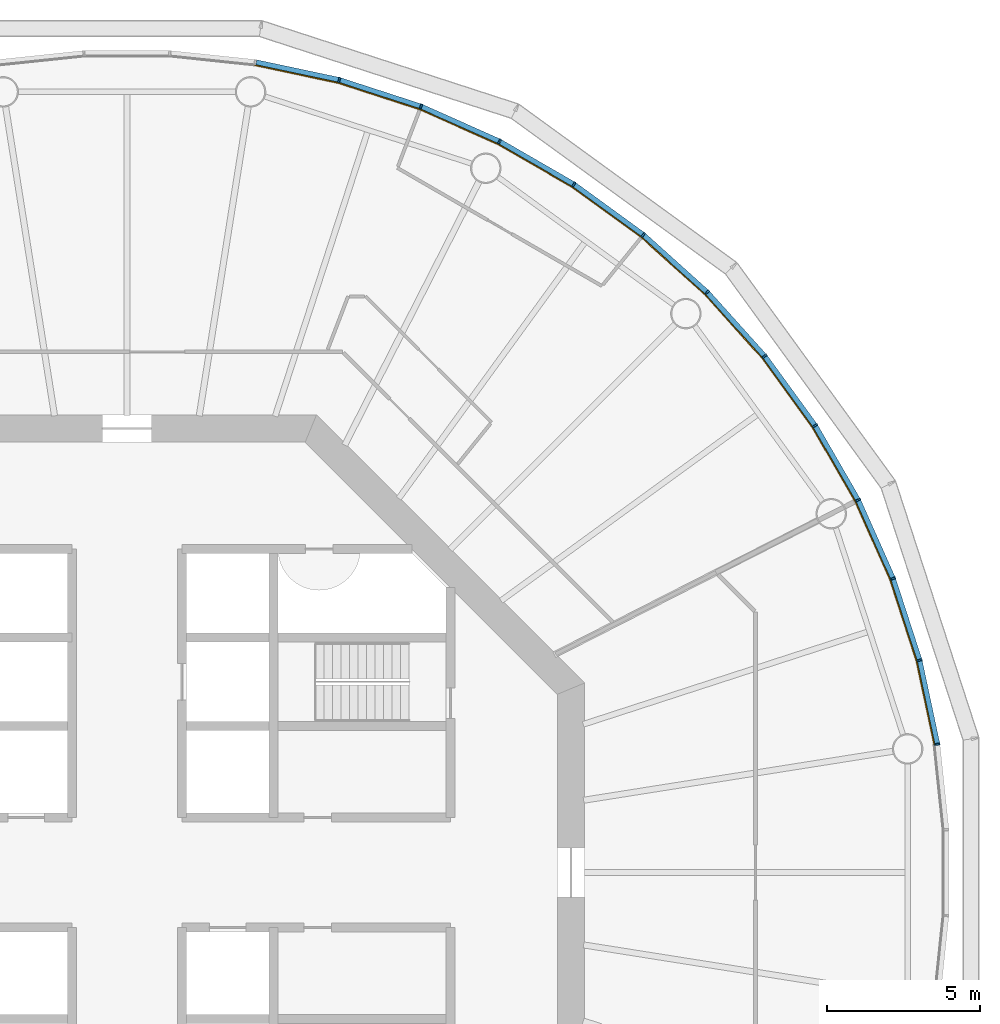
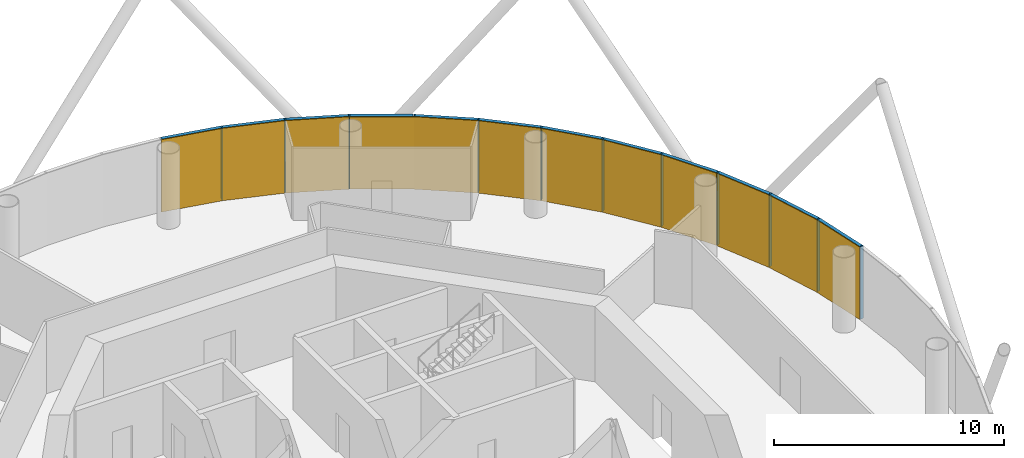
# One storey, part 12 of 13: 24 members, 4 curtain walls.
"""IFC4 building model written with IfcOpenShell, lengths in metres."""

from ifc_helpers import new_model, si_unit, direction, frame, origin, origin_2d, place, context, subcontext, project, spatial, polyline, rectangle, outline, extrude, material, layer, layer_set, material_profile, profile_set, type_object, element, aggregate, save


model = new_model("IFC4")

# Units and contexts
model_context = context("Model", 3, precision=1e-05, world=origin(), true_north=direction((0.0, 1.0)))
body_context = subcontext(model_context, "Body", "Model", "MODEL_VIEW")
ifc_project = project(units=[si_unit("LENGTHUNIT", "METRE"), si_unit("AREAUNIT", "SQUARE_METRE"), si_unit("VOLUMEUNIT", "CUBIC_METRE"), si_unit("PLANEANGLEUNIT", "RADIAN"), si_unit("MASSUNIT", "GRAM", prefix="KILO")], contexts=[model_context])

# Member
ifc_material_1 = material(Name="Anodised aluminium", Category="aluminium")
ifc_material_profile_1 = material_profile(ifc_material_1, rectangle(XDim=0.06005859375, YDim=0.169921875, at=origin_2d()), Name="Mullion 60 x 170 mm anodised aluminium")
ifc_profile_set_1 = profile_set([ifc_material_profile_1], Name="Anodised aluminium")
member_type_1 = type_object("IfcMemberType", Name="Mullion 60 x 170 mm anodised aluminium", PredefinedType="MULLION", material=ifc_profile_set_1)
site_placement = place(None, origin())
building_placement = place(site_placement, origin())
storey_placement = place(building_placement, frame((0.0, 0.0, 218.0)))
member_1_placement = place(storey_placement, frame((116.553955078125, 84.205810546875, 0.0), z_axis=(0.0, 0.0, 1.0), x_axis=(-0.15643446504, 0.987688340595, 0.0)))
member_1 = element("IfcMember", 1, at=member_1_placement, type_object=member_type_1, Name="MULLION L50-00", PredefinedType="MULLION", context=body_context, shape_type="SweptSolid", body=[
    extrude(rectangle(XDim=0.06005859375, YDim=0.169921875, at=origin_2d()), origin(), (0.0, 0.0, 1.0), 3.85009765625),
])

member_2_placement = place(storey_placement, frame((115.968994140625, 86.958251953125, 0.0), z_axis=(0.0, 0.0, 1.0), x_axis=(-0.258819045103, 0.965925826289, 0.0)))
member_2 = element("IfcMember", 2, at=member_2_placement, type_object=member_type_1, Name="MULLION L50-01", PredefinedType="MULLION", context=body_context, shape_type="SweptSolid", body=[
    extrude(rectangle(XDim=0.06005859375, YDim=0.169921875, at=origin_2d()), origin(), (0.0, 0.0, 1.0), 3.85009765625),
])

member_3_placement = place(storey_placement, frame((115.099365234375, 89.634765625, 0.0), z_axis=(0.0, 0.0, 1.0), x_axis=(-0.358367949545, 0.933580426497, 0.0)))
member_3 = element("IfcMember", 3, at=member_3_placement, type_object=member_type_1, Name="MULLION L50-02", PredefinedType="MULLION", context=body_context, shape_type="SweptSolid", body=[
    extrude(rectangle(XDim=0.06005859375, YDim=0.169921875, at=origin_2d()), origin(), (0.0, 0.0, 1.0), 3.85009765625),
])

member_4_placement = place(storey_placement, frame((113.95458984375, 92.20556640625, 0.0), z_axis=(0.0, 0.0, 1.0), x_axis=(-0.45399049974, 0.891006524188, 0.0)))
member_4 = element("IfcMember", 4, at=member_4_placement, type_object=member_type_1, Name="MULLION L50-03", PredefinedType="MULLION", context=body_context, shape_type="SweptSolid", body=[
    extrude(rectangle(XDim=0.06005859375, YDim=0.169921875, at=origin_2d()), origin(), (0.0, 0.0, 1.0), 3.85009765625),
])

member_5_placement = place(storey_placement, frame((112.547607421875, 94.642578125, 0.0), z_axis=(0.0, 0.0, 1.0), x_axis=(-0.544639035015, 0.838670567945, 0.0)))
member_5 = element("IfcMember", 5, at=member_5_placement, type_object=member_type_1, Name="MULLION L50-04", PredefinedType="MULLION", context=body_context, shape_type="SweptSolid", body=[
    extrude(rectangle(XDim=0.06005859375, YDim=0.169921875, at=origin_2d()), origin(), (0.0, 0.0, 1.0), 3.85009765625),
])

member_6_placement = place(storey_placement, frame((110.8935546875, 96.919189453125, 0.0), z_axis=(0.0, 0.0, 1.0), x_axis=(-0.62932039105, 0.777145961457, 0.0)))
member_6 = element("IfcMember", 6, at=member_6_placement, type_object=member_type_1, Name="MULLION L50-05", PredefinedType="MULLION", context=body_context, shape_type="SweptSolid", body=[
    extrude(rectangle(XDim=0.06005859375, YDim=0.169921875, at=origin_2d()), origin(), (0.0, 0.0, 1.0), 3.85009765625),
])

member_7_placement = place(storey_placement, frame((109.010498046875, 99.010498046875, 0.0), z_axis=(0.0, 0.0, 1.0), x_axis=(-0.707106781187, 0.707106781187, 0.0)))
member_7 = element("IfcMember", 7, at=member_7_placement, type_object=member_type_1, Name="MULLION L50-06", PredefinedType="MULLION", context=body_context, shape_type="SweptSolid", body=[
    extrude(rectangle(XDim=0.06005859375, YDim=0.169921875, at=origin_2d()), origin(), (0.0, 0.0, 1.0), 3.85009765625),
])

member_8_placement = place(storey_placement, frame((106.919189453125, 100.8935546875, 0.0), z_axis=(0.0, 0.0, 1.0), x_axis=(-0.777145961457, 0.62932039105, 0.0)))
member_8 = element("IfcMember", 8, at=member_8_placement, type_object=member_type_1, Name="MULLION L50-07", PredefinedType="MULLION", context=body_context, shape_type="SweptSolid", body=[
    extrude(rectangle(XDim=0.06005859375, YDim=0.169921875, at=origin_2d()), origin(), (0.0, 0.0, 1.0), 3.85009765625),
])

member_9_placement = place(storey_placement, frame((104.642578125, 102.547607421875, 0.0), z_axis=(0.0, 0.0, 1.0), x_axis=(-0.838670567945, 0.544639035015, 0.0)))
member_9 = element("IfcMember", 9, at=member_9_placement, type_object=member_type_1, Name="MULLION L50-08", PredefinedType="MULLION", context=body_context, shape_type="SweptSolid", body=[
    extrude(rectangle(XDim=0.06005859375, YDim=0.169921875, at=origin_2d()), origin(), (0.0, 0.0, 1.0), 3.85009765625),
])

member_10_placement = place(storey_placement, frame((102.20556640625, 103.95458984375, 0.0), z_axis=(0.0, 0.0, 1.0), x_axis=(-0.891006524188, 0.45399049974, 0.0)))
member_10 = element("IfcMember", 10, at=member_10_placement, type_object=member_type_1, Name="MULLION L50-09", PredefinedType="MULLION", context=body_context, shape_type="SweptSolid", body=[
    extrude(rectangle(XDim=0.06005859375, YDim=0.169921875, at=origin_2d()), origin(), (0.0, 0.0, 1.0), 3.85009765625),
])

member_11_placement = place(storey_placement, frame((99.634765625, 105.099365234375, 0.0), z_axis=(0.0, 0.0, 1.0), x_axis=(-0.933580426497, 0.358367949545, 0.0)))
member_11 = element("IfcMember", 11, at=member_11_placement, type_object=member_type_1, Name="MULLION L50-10", PredefinedType="MULLION", context=body_context, shape_type="SweptSolid", body=[
    extrude(rectangle(XDim=0.06005859375, YDim=0.169921875, at=origin_2d()), origin(), (0.0, 0.0, 1.0), 3.85009765625),
])

member_12_placement = place(storey_placement, frame((96.958251953125, 105.968994140625, 0.0), z_axis=(0.0, 0.0, 1.0), x_axis=(-0.965925826289, 0.258819045103, 0.0)))
member_12 = element("IfcMember", 12, at=member_12_placement, type_object=member_type_1, Name="MULLION L50-11", PredefinedType="MULLION", context=body_context, shape_type="SweptSolid", body=[
    extrude(rectangle(XDim=0.06005859375, YDim=0.169921875, at=origin_2d()), origin(), (0.0, 0.0, 1.0), 3.85009765625),
])

ifc_material_2 = material(Name="Anodised aluminium", Category="aluminium")
ifc_material_profile_2 = material_profile(ifc_material_2, rectangle(XDim=0.169921875, YDim=0.1650390625, at=origin_2d()), Name="Transom 165 x 170 mm anodised aluminium")
ifc_profile_set_2 = profile_set([ifc_material_profile_2], Name="Anodised aluminium")
member_type_2 = type_object("IfcMemberType", Name="Transom 165 x 170 mm anodised aluminium", PredefinedType="USERDEFINED", material=ifc_profile_set_2)
member_13_placement = place(storey_placement, frame((116.546875, 84.239501953125, 3.767578125), z_axis=(-0.207937468562, 0.97814212115, 0.0), x_axis=(-0.97814212115, -0.207937468562, 0.0)))
member_13 = element("IfcMember", 13, at=member_13_placement, type_object=member_type_2, Name="TRANSOM L50-00", ObjectType="TRANSOM", PredefinedType="USERDEFINED", context=body_context, shape_type="SweptSolid", body=[
    extrude(rectangle(XDim=0.169921875, YDim=0.1650390625, at=origin_2d()), origin(), (0.0, 0.0, 1.0), 2.7451171875),
])

member_14_placement = place(storey_placement, frame((115.95849609375, 86.9912109375, 3.767578125), z_axis=(-0.309041831781, 0.951048445774, 0.0), x_axis=(-0.951048445774, -0.309041831781, 0.0)))
member_14 = element("IfcMember", 14, at=member_14_placement, type_object=member_type_2, Name="TRANSOM L50-01", ObjectType="TRANSOM", PredefinedType="USERDEFINED", context=body_context, shape_type="SweptSolid", body=[
    extrude(rectangle(XDim=0.169921875, YDim=0.1650390625, at=origin_2d()), origin(), (0.0, 0.0, 1.0), 2.7451171875),
])

member_15_placement = place(storey_placement, frame((115.08544921875, 89.666259765625, 3.767578125), z_axis=(-0.406781987391, 0.913525267704, 0.0), x_axis=(-0.913525267704, -0.406781987391, 0.0)))
member_15 = element("IfcMember", 15, at=member_15_placement, type_object=member_type_2, Name="TRANSOM L50-02", ObjectType="TRANSOM", PredefinedType="USERDEFINED", context=body_context, shape_type="SweptSolid", body=[
    extrude(rectangle(XDim=0.169921875, YDim=0.1650390625, at=origin_2d()), origin(), (0.0, 0.0, 1.0), 2.7451171875),
])

member_16_placement = place(storey_placement, frame((113.9375, 92.2353515625, 3.767578125), z_axis=(-0.49998419723, 0.866034527326, 0.0), x_axis=(-0.866034527326, -0.49998419723, 0.0)))
member_16 = element("IfcMember", 16, at=member_16_placement, type_object=member_type_2, Name="TRANSOM L50-03", ObjectType="TRANSOM", PredefinedType="USERDEFINED", context=body_context, shape_type="SweptSolid", body=[
    extrude(rectangle(XDim=0.169921875, YDim=0.1650390625, at=origin_2d()), origin(), (0.0, 0.0, 1.0), 2.7451171875),
])

member_17_placement = place(storey_placement, frame((112.527587890625, 94.670654296875, 3.767578125), z_axis=(-0.587864947412, 0.808959086484, 0.0), x_axis=(-0.808959086484, -0.587864947412, 0.0)))
member_17 = element("IfcMember", 17, at=member_17_placement, type_object=member_type_2, Name="TRANSOM L50-04", ObjectType="TRANSOM", PredefinedType="USERDEFINED", context=body_context, shape_type="SweptSolid", body=[
    extrude(rectangle(XDim=0.169921875, YDim=0.1650390625, at=origin_2d()), origin(), (0.0, 0.0, 1.0), 2.7451171875),
])

member_18_placement = place(storey_placement, frame((110.87060546875, 96.945068359375, 3.767578125), z_axis=(-0.669141598561, 0.743134927907, 0.0), x_axis=(-0.743134927907, -0.669141598561, 0.0)))
member_18 = element("IfcMember", 18, at=member_18_placement, type_object=member_type_2, Name="TRANSOM L50-05", ObjectType="TRANSOM", PredefinedType="USERDEFINED", context=body_context, shape_type="SweptSolid", body=[
    extrude(rectangle(XDim=0.169921875, YDim=0.1650390625, at=origin_2d()), origin(), (0.0, 0.0, 1.0), 2.7451171875),
])

member_19_placement = place(storey_placement, frame((108.985107421875, 99.03369140625, 3.767578125), z_axis=(-0.743134927907, 0.669141598561, 0.0), x_axis=(-0.669141598561, -0.743134927907, 0.0)))
member_19 = element("IfcMember", 19, at=member_19_placement, type_object=member_type_2, Name="TRANSOM L50-06", ObjectType="TRANSOM", PredefinedType="USERDEFINED", context=body_context, shape_type="SweptSolid", body=[
    extrude(rectangle(XDim=0.169921875, YDim=0.1650390625, at=origin_2d()), origin(), (0.0, 0.0, 1.0), 2.7451171875),
])

member_20_placement = place(storey_placement, frame((106.891357421875, 100.913818359375, 3.767578125), z_axis=(-0.808959086484, 0.587864947412, 0.0), x_axis=(-0.587864947412, -0.808959086484, 0.0)))
member_20 = element("IfcMember", 20, at=member_20_placement, type_object=member_type_2, Name="TRANSOM L50-07", ObjectType="TRANSOM", PredefinedType="USERDEFINED", context=body_context, shape_type="SweptSolid", body=[
    extrude(rectangle(XDim=0.169921875, YDim=0.1650390625, at=origin_2d()), origin(), (0.0, 0.0, 1.0), 2.7451171875),
])

member_21_placement = place(storey_placement, frame((104.61279296875, 102.56494140625, 3.767578125), z_axis=(-0.866034527326, 0.49998419723, 0.0), x_axis=(-0.49998419723, -0.866034527326, 0.0)))
member_21 = element("IfcMember", 21, at=member_21_placement, type_object=member_type_2, Name="TRANSOM L50-08", ObjectType="TRANSOM", PredefinedType="USERDEFINED", context=body_context, shape_type="SweptSolid", body=[
    extrude(rectangle(XDim=0.169921875, YDim=0.1650390625, at=origin_2d()), origin(), (0.0, 0.0, 1.0), 2.7451171875),
])

member_22_placement = place(storey_placement, frame((102.174072265625, 103.96875, 3.767578125), z_axis=(-0.913525267704, 0.406781987391, 0.0), x_axis=(-0.406781987391, -0.913525267704, 0.0)))
member_22 = element("IfcMember", 22, at=member_22_placement, type_object=member_type_2, Name="TRANSOM L50-09", ObjectType="TRANSOM", PredefinedType="USERDEFINED", context=body_context, shape_type="SweptSolid", body=[
    extrude(rectangle(XDim=0.169921875, YDim=0.1650390625, at=origin_2d()), origin(), (0.0, 0.0, 1.0), 2.7451171875),
])

member_23_placement = place(storey_placement, frame((99.60205078125, 105.110107421875, 3.767578125), z_axis=(-0.951048445774, 0.309041831781, 0.0), x_axis=(-0.309041831781, -0.951048445774, 0.0)))
member_23 = element("IfcMember", 23, at=member_23_placement, type_object=member_type_2, Name="TRANSOM L50-10", ObjectType="TRANSOM", PredefinedType="USERDEFINED", context=body_context, shape_type="SweptSolid", body=[
    extrude(rectangle(XDim=0.169921875, YDim=0.1650390625, at=origin_2d()), origin(), (0.0, 0.0, 1.0), 2.7451171875),
])

member_24_placement = place(storey_placement, frame((96.924560546875, 105.97607421875, 3.767578125), z_axis=(-0.97814212115, 0.207937468562, 0.0), x_axis=(-0.207937468562, -0.97814212115, 0.0)))
member_24 = element("IfcMember", 24, at=member_24_placement, type_object=member_type_2, Name="TRANSOM L50-11", ObjectType="TRANSOM", PredefinedType="USERDEFINED", context=body_context, shape_type="SweptSolid", body=[
    extrude(rectangle(XDim=0.169921875, YDim=0.1650390625, at=origin_2d()), origin(), (0.0, 0.0, 1.0), 2.7451171875),
])

# Site, building, storey
site = spatial("IfcSite", under=ifc_project, at=site_placement, CompositionType="ELEMENT")
building = spatial("IfcBuilding", under=site, at=building_placement, Name="Entoto Ring Tower", CompositionType="ELEMENT")
storey = spatial("IfcBuildingStorey", under=building, at=storey_placement, Name="L50", CompositionType="ELEMENT", Elevation=218.0)

# Curtain wall
ifc_material_3 = material(Name="Clear low-iron glass", Category="glass")
ifc_layer = layer(ifc_material_3, 0.031982421875)
ifc_layer_set = layer_set([ifc_layer], Name="Clear low-iron glass")
curtain_wall_type = type_object("IfcCurtainWallType", Name="Curtain wall system CW4 glazing 32 mm", PredefinedType="NOTDEFINED", material=ifc_layer_set)
curtain_wall_1_placement = place(storey_placement, origin())
curtain_wall_1 = element("IfcCurtainWall", 25, at=curtain_wall_1_placement, inside=storey, type_object=curtain_wall_type, Name="CW4 L50-01", PredefinedType="NOTDEFINED", context=body_context, shape_type="SweptSolid", body=[
    extrude(outline(polyline([(116.469970703125, 84.1923828125), (115.88671875, 86.936279296875), (115.02001953125, 89.604248046875), (113.87890625, 92.1669921875), (113.850341796875, 92.15234375), (114.989990234375, 89.5927734375), (115.85595703125, 86.927978515625), (116.4384765625, 84.1875), (116.469970703125, 84.1923828125)])), origin(), (0.0, 0.0, 1.0), 3.85009765625),
])

aggregate(curtain_wall_1, [member_1, member_2, member_3, member_13, member_14, member_15])

curtain_wall_2_placement = place(storey_placement, origin())
curtain_wall_2 = element("IfcCurtainWall", 26, at=curtain_wall_2_placement, inside=storey, type_object=curtain_wall_type, Name="CW4 L50-02", PredefinedType="NOTDEFINED", context=body_context, shape_type="SweptSolid", body=[
    extrude(outline(polyline([(113.87890625, 92.1669921875), (112.476318359375, 94.596435546875), (110.827392578125, 96.86572265625), (108.950439453125, 98.950439453125), (108.927734375, 98.927734375), (110.802490234375, 96.845703125), (112.449462890625, 94.578857421875), (113.850341796875, 92.15234375), (113.87890625, 92.1669921875)])), origin(), (0.0, 0.0, 1.0), 3.85009765625),
])

aggregate(curtain_wall_2, [member_4, member_5, member_6, member_16, member_17, member_18])

curtain_wall_3_placement = place(storey_placement, origin())
curtain_wall_3 = element("IfcCurtainWall", 27, at=curtain_wall_3_placement, inside=storey, type_object=curtain_wall_type, Name="CW4 L50-03", PredefinedType="NOTDEFINED", context=body_context, shape_type="SweptSolid", body=[
    extrude(outline(polyline([(108.950439453125, 98.950439453125), (106.86572265625, 100.827392578125), (104.596435546875, 102.476318359375), (102.1669921875, 103.87890625), (102.15234375, 103.850341796875), (104.578857421875, 102.449462890625), (106.845703125, 100.802490234375), (108.927734375, 98.927734375), (108.950439453125, 98.950439453125)])), origin(), (0.0, 0.0, 1.0), 3.85009765625),
])

aggregate(curtain_wall_3, [member_7, member_8, member_9, member_19, member_20, member_21])

curtain_wall_4_placement = place(storey_placement, origin())
curtain_wall_4 = element("IfcCurtainWall", 28, at=curtain_wall_4_placement, inside=storey, type_object=curtain_wall_type, Name="CW4 L50-04", PredefinedType="NOTDEFINED", context=body_context, shape_type="SweptSolid", body=[
    extrude(outline(polyline([(102.1669921875, 103.87890625), (99.604248046875, 105.02001953125), (96.936279296875, 105.88671875), (94.1923828125, 106.469970703125), (94.1875, 106.4384765625), (96.927978515625, 105.85595703125), (99.5927734375, 104.989990234375), (102.15234375, 103.850341796875), (102.1669921875, 103.87890625)])), origin(), (0.0, 0.0, 1.0), 3.85009765625),
])

aggregate(curtain_wall_4, [member_10, member_11, member_12, member_22, member_23, member_24])

save(model, "model.ifc")
